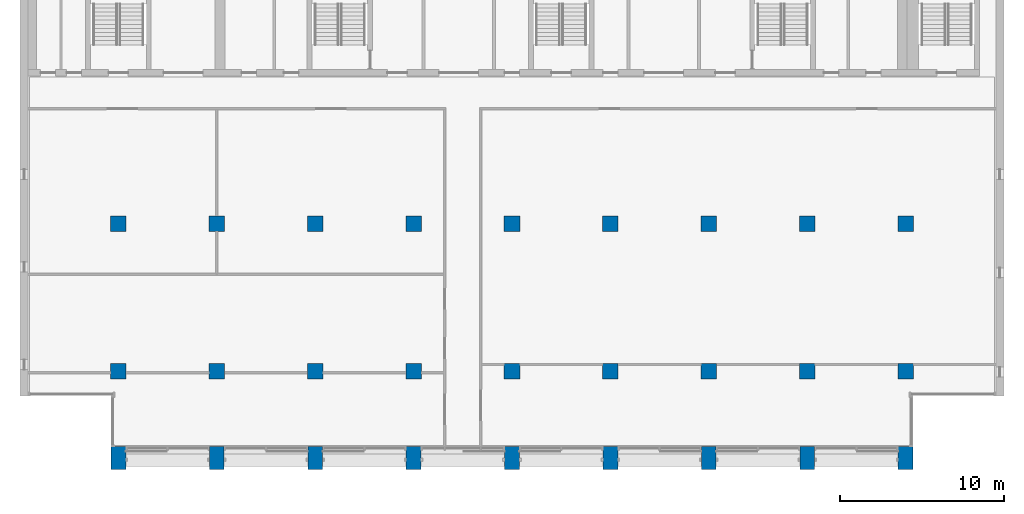
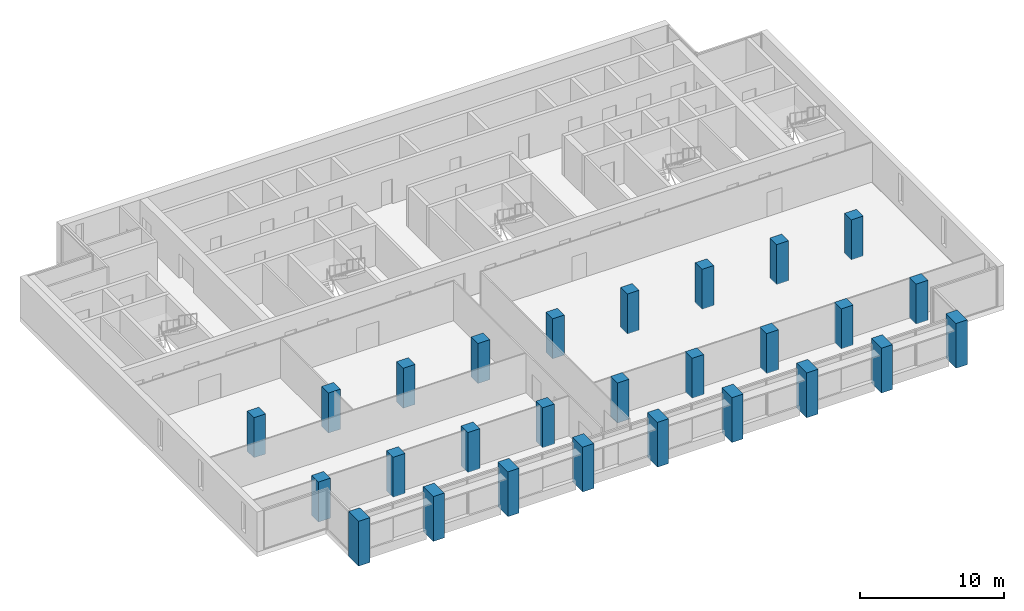
# One storey, part 1 of 14: 27 columns.
"""IFC4 building model written with IfcOpenShell, lengths in metres."""

import ifcopenshell
import ifcopenshell.guid

model = None  # the IFC model being written
_history = None  # IfcOwnerHistory: only IFC2X3 demands one
_inside = {}  # id of a spatial element -> (the spatial element, [elements in it])
_under = {}  # id of a project, library or spatial element -> (it, [spatial elements below it])
_declared = {}  # id of a project -> (the project, [libraries it declares])
_typed = {}  # id of a type object -> (the type object, [elements of that type])
_made_of = {}  # id of a material, layer set ... -> (it, [elements and type objects made of it])


def new_model(schema):
    """Start an empty IFC model of exactly this schema.

    Asked for "IFC4X3", IfcOpenShell would pick the latest addendum, in which some entities
    have other attributes; the version numbers below select the first issue.
    IFC2X3 requires an IfcOwnerHistory on every rooted entity: one is made here for all.
    """
    global model, _history
    if schema == "IFC4X3":
        model = ifcopenshell.file(schema_version=(4, 3, 0, 0))
    else:
        model = ifcopenshell.file(schema=schema)
    _inside.clear()
    _under.clear()
    _declared.clear()
    _typed.clear()
    _made_of.clear()
    _history = None
    if model.schema == "IFC2X3":
        org = make("IfcOrganization", Name="unknown")
        user = make(
            "IfcPersonAndOrganization",
            ThePerson=make("IfcPerson", FamilyName="unknown"),
            TheOrganization=org,
        )
        app = make(
            "IfcApplication",
            ApplicationDeveloper=org,
            Version="unknown",
            ApplicationFullName="unknown",
            ApplicationIdentifier="unknown",
        )
        _history = make(
            "IfcOwnerHistory",
            OwningUser=user,
            OwningApplication=app,
            ChangeAction="ADDED",
            CreationDate=0,
        )
    return model


def make(cls, **values):
    """One entity of the class cls with the attributes given. An attribute that is None is left unset."""
    return model.create_entity(
        cls, **{name: value for name, value in values.items() if value is not None}
    )


def rooted(cls, **values):
    """An entity with a GlobalId (a new one), such as an element, a storey or a relation."""
    return make(cls, GlobalId=ifcopenshell.guid.new(), OwnerHistory=_history, **values)


def si_unit(unit_type, name, prefix=None):
    """IfcSIUnit, for example si_unit("LENGTHUNIT", "METRE", prefix="MILLI")."""
    return make("IfcSIUnit", UnitType=unit_type, Prefix=prefix, Name=name)


def assignment(units):
    """IfcUnitAssignment: the units of a project."""
    return None if units is None else make("IfcUnitAssignment", Units=units)


def point(xyz):
    """IfcCartesianPoint."""
    return None if xyz is None else make("IfcCartesianPoint", Coordinates=xyz)


def direction(xyz):
    """IfcDirection."""
    return None if xyz is None else make("IfcDirection", DirectionRatios=xyz)


def frame(location, z_axis=None, x_axis=None):
    """IfcAxis2Placement3D, a coordinate frame: its origin and axes. An axis left out is left unset."""
    return make(
        "IfcAxis2Placement3D",
        Location=point(location),
        Axis=direction(z_axis),
        RefDirection=direction(x_axis),
    )


def frame_2d(location, x_axis=None):
    """IfcAxis2Placement2D, a coordinate frame in the plane: its origin and x axis."""
    return make(
        "IfcAxis2Placement2D", Location=point(location), RefDirection=direction(x_axis)
    )


def origin():
    """The frame at (0, 0, 0) with its axes left unset."""
    return frame((0.0, 0.0, 0.0))


def origin_2d():
    """The frame at (0, 0) in the plane with its x axis left unset."""
    return frame_2d((0.0, 0.0))


def place(relative_to, where):
    """IfcLocalPlacement: puts the frame where relative to a parent placement (None: the world)."""
    return make(
        "IfcLocalPlacement", PlacementRelTo=relative_to, RelativePlacement=where
    )


def context(
    kind, dimensions, precision=None, world=None, true_north=None, identifier=None
):
    """IfcGeometricRepresentationContext, for example the 3D "Model" context."""
    return make(
        "IfcGeometricRepresentationContext",
        ContextIdentifier=identifier,
        ContextType=kind,
        CoordinateSpaceDimension=dimensions,
        Precision=precision,
        WorldCoordinateSystem=world,
        TrueNorth=true_north,
    )


def subcontext(parent, identifier, kind, view, scale=None):
    """IfcGeometricRepresentationSubContext, for example "Body" below "Model"."""
    return make(
        "IfcGeometricRepresentationSubContext",
        ContextIdentifier=identifier,
        ContextType=kind,
        ParentContext=parent,
        TargetScale=scale,
        TargetView=view,
    )


def project(units=None, contexts=None):
    """IfcProject with its units and contexts."""
    return rooted(
        "IfcProject",
        Name="project",
        RepresentationContexts=contexts,
        UnitsInContext=assignment(units),
    )


def spatial(cls, under=None, at=None, **own):
    """A site, building, storey or space (cls), placed at a placement, below another one or the project."""
    s = rooted(cls, ObjectPlacement=at, **own)
    if under is not None:
        _under.setdefault(under.id(), (under, []))[1].append(s)
    return s


def profile(cls, at=None, kind="AREA", **sizes):
    """A parametric profile (cls). Its sizes go by their IFC names, for example OverallWidth=200.0."""
    return make(cls, ProfileType=kind, Position=at, **sizes)


def rectangle(**sizes):
    """IfcRectangleProfileDef."""
    return profile("IfcRectangleProfileDef", **sizes)


def extrude(swept, where, along, depth):
    """IfcExtrudedAreaSolid: the profile swept, set in the frame where, extruded along a direction by depth."""
    return make(
        "IfcExtrudedAreaSolid",
        SweptArea=swept,
        Position=where,
        ExtrudedDirection=direction(along),
        Depth=depth,
    )


def shape(context_of_items, identifier, shape_type, items):
    """IfcShapeRepresentation: the items that make up one representation, for example the "Body"."""
    return make(
        "IfcShapeRepresentation",
        ContextOfItems=context_of_items,
        RepresentationIdentifier=identifier,
        RepresentationType=shape_type,
        Items=items,
    )


def material(Name=None, Category=None):
    """IfcMaterial."""
    return make("IfcMaterial", Name=Name, Category=Category)


def material_profile(
    of_material, cross_section, Name=None, Category=None, Priority=None
):
    """IfcMaterialProfile: a cross section and its material."""
    return make(
        "IfcMaterialProfile",
        Name=Name,
        Material=of_material,
        Profile=cross_section,
        Priority=Priority,
        Category=Category,
    )


def profile_set(profiles, Name=None, composite=None):
    """IfcMaterialProfileSet."""
    return make(
        "IfcMaterialProfileSet",
        Name=Name,
        MaterialProfiles=profiles,
        CompositeProfile=composite,
    )


def made_of(thing, what):
    """Note that an element or type object is made of a material, layer set ...; save() writes the relation."""
    if what is not None:
        _made_of.setdefault(what.id(), (what, []))[1].append(thing)
    return thing


def type_object(cls, material=None, **own):
    """A type object (cls), such as IfcWallType, which elements share."""
    return made_of(rooted(cls, **own), material)


def element(
    cls,
    number,
    at=None,
    inside=None,
    cuts=None,
    type_object=None,
    material=None,
    context=None,
    identifier="Body",
    shape_type=None,
    held_by="IfcProductDefinitionShape",
    body=None,
    shapes=None,
    **own,
):
    """One element of the class cls, such as IfcWall. Its Tag is "e" and its number.

    at: its placement. inside: the storey or other place that contains it. cuts: it is an
    opening in that element (IfcRelVoidsElement). A single representation is given by context,
    identifier, shape_type and body (its items); several are given by shapes. held_by: the class
    of the entity that holds the representations. save() writes the other relations.
    """
    e = rooted(cls, Tag="e%d" % number, ObjectPlacement=at, **own)
    if body is not None:
        shapes = [shape(context, identifier, shape_type, body)]
    if shapes is not None:
        e.Representation = make(held_by, Representations=shapes)
    if inside is not None:
        _inside.setdefault(inside.id(), (inside, []))[1].append(e)
    if cuts is not None:
        rooted(
            "IfcRelVoidsElement", RelatingBuildingElement=cuts, RelatedOpeningElement=e
        )
    if type_object is not None:
        _typed.setdefault(type_object.id(), (type_object, []))[1].append(e)
    return made_of(e, material)


def aggregate(whole, parts):
    """IfcRelAggregates: a whole, such as a stair, and the parts it consists of."""
    return rooted("IfcRelAggregates", RelatingObject=whole, RelatedObjects=parts)


def save(model, path):
    """Write the relations noted so far, then the file.

    IfcRelAggregates (storeys below a building ...), IfcRelContainedInSpatialStructure (elements
    in a storey), IfcRelDefinesByType, IfcRelAssociatesMaterial and IfcRelDeclares: one each for
    every whole, place, type object, material and project.
    """
    for whole, parts in _under.values():
        aggregate(whole, parts)
    for where, things in _inside.values():
        rooted(
            "IfcRelContainedInSpatialStructure",
            RelatedElements=things,
            RelatingStructure=where,
        )
    for kind, things in _typed.values():
        rooted("IfcRelDefinesByType", RelatedObjects=things, RelatingType=kind)
    for what, things in _made_of.values():
        rooted("IfcRelAssociatesMaterial", RelatedObjects=things, RelatingMaterial=what)
    for by, libraries in _declared.values():
        rooted("IfcRelDeclares", RelatingContext=by, RelatedDefinitions=libraries)
    model.write(path)


model = new_model("IFC4")

# Units and contexts
model_context = context("Model", 3, precision=1e-05, world=origin(), true_north=direction((0.0, 1.0)))
body_context = subcontext(model_context, "Body", "Model", "MODEL_VIEW")
ifc_project = project(units=[si_unit("LENGTHUNIT", "METRE"), si_unit("AREAUNIT", "SQUARE_METRE"), si_unit("VOLUMEUNIT", "CUBIC_METRE"), si_unit("PLANEANGLEUNIT", "RADIAN"), si_unit("MASSUNIT", "GRAM", prefix="KILO")], contexts=[model_context])

# Site, building, storey
site_placement = place(None, origin())
site = spatial("IfcSite", under=ifc_project, at=site_placement, CompositionType="ELEMENT")
building_placement = place(site_placement, origin())
building = spatial("IfcBuilding", under=site, at=building_placement, Name="Calvaro Tower", CompositionType="ELEMENT")
storey_placement = place(building_placement, frame((0.0, 0.0, 235.550048828125)))
storey = spatial("IfcBuildingStorey", under=building, at=storey_placement, Name="L59", CompositionType="ELEMENT", Elevation=235.550048828125)

# Columns
ifc_material_1 = material(Name="Concrete C40/50", Category="concrete")
ifc_material_profile_1 = material_profile(ifc_material_1, rectangle(XDim=0.949951171875, YDim=0.949951171875, at=origin_2d()), Name="RC 950x950")
ifc_profile_set_1 = profile_set([ifc_material_profile_1], Name="Concrete C40/50")
column_type_1 = type_object("IfcColumnType", Name="Column 950x950 C40/50", PredefinedType="COLUMN", material=ifc_profile_set_1)
for number, where, z_axis, x_axis, name in (
    (1, (12.0, 10.0, 0.0), (0.0, 0.0, 1.0), (1.0, 0.0, 0.0), "Column 3B"),
    (2, (12.0, 19.0, 0.0), (0.0, 0.0, 1.0), (1.0, 0.0, 0.0), "Column 3C"),
    (3, (18.0, 10.0, 0.0), (0.0, 0.0, 1.0), (1.0, 0.0, 0.0), "Column 4B"),
    (4, (18.0, 19.0, 0.0), (0.0, 0.0, 1.0), (1.0, 0.0, 0.0), "Column 4C"),
    (5, (24.0, 10.0, 0.0), (0.0, 0.0, 1.0), (1.0, 0.0, 0.0), "Column 5B"),
    (6, (24.0, 19.0, 0.0), (0.0, 0.0, 1.0), (1.0, 0.0, 0.0), "Column 5C"),
    (7, (30.0, 10.0, 0.0), (0.0, 0.0, 1.0), (1.0, 0.0, 0.0), "Column 6B"),
    (8, (30.0, 19.0, 0.0), (0.0, 0.0, 1.0), (1.0, 0.0, 0.0), "Column 6C"),
    (9, (36.0, 10.0, 0.0), (0.0, 0.0, 1.0), (1.0, 0.0, 0.0), "Column 7B"),
    (10, (36.0, 19.0, 0.0), (0.0, 0.0, 1.0), (1.0, 0.0, 0.0), "Column 7C"),
    (11, (42.0, 10.0, 0.0), (0.0, 0.0, 1.0), (1.0, 0.0, 0.0), "Column 8B"),
    (12, (42.0, 19.0, 0.0), (0.0, 0.0, 1.0), (1.0, 0.0, 0.0), "Column 8C"),
    (13, (48.0, 10.0, 0.0), (0.0, 0.0, 1.0), (1.0, 0.0, 0.0), "Column 9B"),
    (14, (48.0, 19.0, 0.0), (0.0, 0.0, 1.0), (1.0, 0.0, 0.0), "Column 9C"),
    (15, (54.0, 10.0, 0.0), (0.0, 0.0, 1.0), (1.0, 0.0, 0.0), "Column 10B"),
    (16, (54.0, 19.0, 0.0), (0.0, 0.0, 1.0), (1.0, 0.0, 0.0), "Column 10C"),
    (17, (60.0, 10.0, 0.0), (0.0, 0.0, 1.0), (1.0, 0.0, 0.0), "Column 11B"),
    (18, (60.0, 19.0, 0.0), (0.0, 0.0, 1.0), (1.0, 0.0, 0.0), "Column 11C"),
):
    element("IfcColumn", number, at=place(storey_placement, frame(where, z_axis=z_axis, x_axis=x_axis)), inside=storey, type_object=column_type_1, Name=name, PredefinedType="COLUMN", context=body_context, shape_type="SweptSolid", body=[
        extrude(rectangle(XDim=0.949951171875, YDim=0.949951171875, at=origin_2d()), origin(), (0.0, 0.0, 1.0), 3.39990234375),
    ])
ifc_material_2 = material(Name="Concrete C40/50", Category="concrete")
ifc_material_profile_2 = material_profile(ifc_material_2, rectangle(XDim=0.89990234375, YDim=1.39990234375, at=origin_2d()), Name="RC 900x1400")
ifc_profile_set_2 = profile_set([ifc_material_profile_2], Name="Concrete C40/50")
column_type_2 = type_object("IfcColumnType", Name="Pier 900x1400 C40/50", PredefinedType="COLUMN", material=ifc_profile_set_2)
for number, where, z_axis, x_axis, name in (
    (19, (12.0, 4.699951171875, -0.400146484375), (0.0, 0.0, 1.0), (1.0, 0.0, 0.0), "South pier 3"),
    (20, (18.0, 4.699951171875, -0.400146484375), (0.0, 0.0, 1.0), (1.0, 0.0, 0.0), "South pier 4"),
    (21, (24.0, 4.699951171875, -0.400146484375), (0.0, 0.0, 1.0), (1.0, 0.0, 0.0), "South pier 5"),
    (22, (30.0, 4.699951171875, -0.400146484375), (0.0, 0.0, 1.0), (1.0, 0.0, 0.0), "South pier 6"),
    (23, (36.0, 4.699951171875, -0.400146484375), (0.0, 0.0, 1.0), (1.0, 0.0, 0.0), "South pier 7"),
    (24, (42.0, 4.699951171875, -0.400146484375), (0.0, 0.0, 1.0), (1.0, 0.0, 0.0), "South pier 8"),
    (25, (48.0, 4.699951171875, -0.400146484375), (0.0, 0.0, 1.0), (1.0, 0.0, 0.0), "South pier 9"),
    (26, (54.0, 4.699951171875, -0.400146484375), (0.0, 0.0, 1.0), (1.0, 0.0, 0.0), "South pier 10"),
    (27, (60.0, 4.699951171875, -0.400146484375), (0.0, 0.0, 1.0), (1.0, 0.0, 0.0), "South pier 11"),
):
    element("IfcColumn", number, at=place(storey_placement, frame(where, z_axis=z_axis, x_axis=x_axis)), inside=storey, type_object=column_type_2, Name=name, PredefinedType="COLUMN", context=body_context, shape_type="SweptSolid", body=[
        extrude(rectangle(XDim=0.89990234375, YDim=1.39990234375, at=origin_2d()), origin(), (0.0, 0.0, 1.0), 3.800048828125),
    ])

save(model, "model.ifc")
